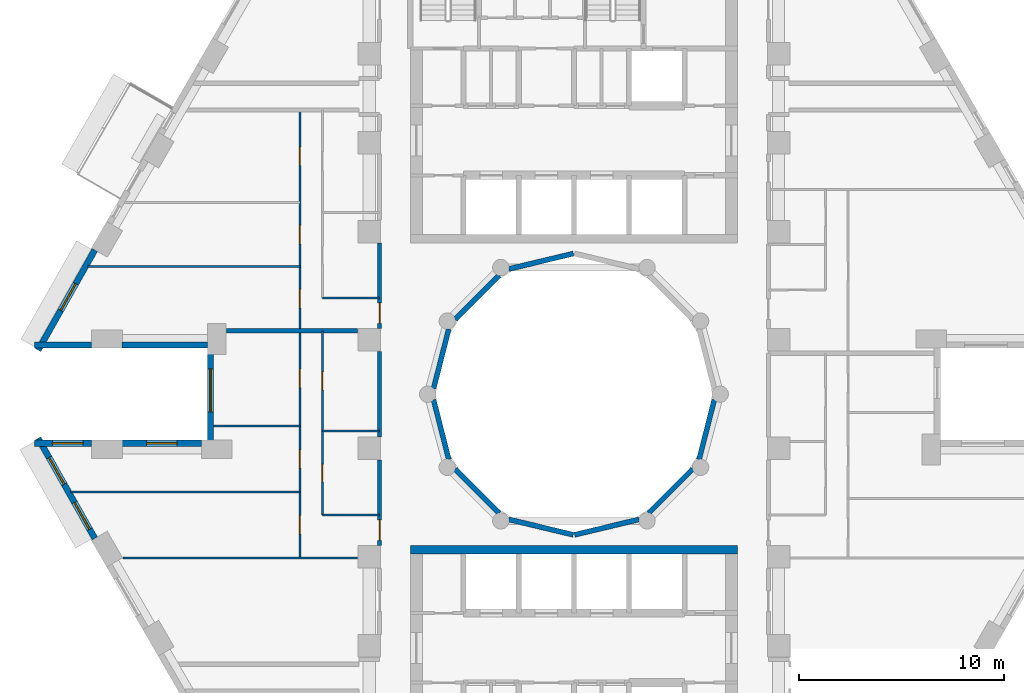
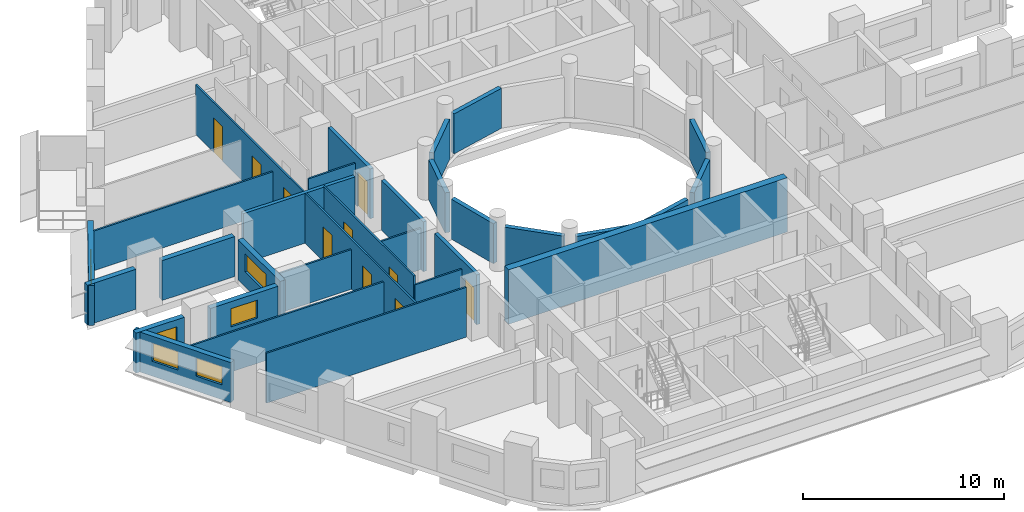
# One storey, part 4 of 13: 30 walls, 10 doors, 6 windows, 16 openings.
"""IFC4 building model written with IfcOpenShell, lengths in metres."""

import ifcopenshell
import ifcopenshell.guid

model = None  # the IFC model being written
_history = None  # IfcOwnerHistory: only IFC2X3 demands one
_inside = {}  # id of a spatial element -> (the spatial element, [elements in it])
_under = {}  # id of a project, library or spatial element -> (it, [spatial elements below it])
_declared = {}  # id of a project -> (the project, [libraries it declares])
_typed = {}  # id of a type object -> (the type object, [elements of that type])
_made_of = {}  # id of a material, layer set ... -> (it, [elements and type objects made of it])


def new_model(schema):
    """Start an empty IFC model of exactly this schema.

    Asked for "IFC4X3", IfcOpenShell would pick the latest addendum, in which some entities
    have other attributes; the version numbers below select the first issue.
    IFC2X3 requires an IfcOwnerHistory on every rooted entity: one is made here for all.
    """
    global model, _history
    if schema == "IFC4X3":
        model = ifcopenshell.file(schema_version=(4, 3, 0, 0))
    else:
        model = ifcopenshell.file(schema=schema)
    _inside.clear()
    _under.clear()
    _declared.clear()
    _typed.clear()
    _made_of.clear()
    _history = None
    if model.schema == "IFC2X3":
        org = make("IfcOrganization", Name="unknown")
        user = make(
            "IfcPersonAndOrganization",
            ThePerson=make("IfcPerson", FamilyName="unknown"),
            TheOrganization=org,
        )
        app = make(
            "IfcApplication",
            ApplicationDeveloper=org,
            Version="unknown",
            ApplicationFullName="unknown",
            ApplicationIdentifier="unknown",
        )
        _history = make(
            "IfcOwnerHistory",
            OwningUser=user,
            OwningApplication=app,
            ChangeAction="ADDED",
            CreationDate=0,
        )
    return model


def make(cls, **values):
    """One entity of the class cls with the attributes given. An attribute that is None is left unset."""
    return model.create_entity(
        cls, **{name: value for name, value in values.items() if value is not None}
    )


def rooted(cls, **values):
    """An entity with a GlobalId (a new one), such as an element, a storey or a relation."""
    return make(cls, GlobalId=ifcopenshell.guid.new(), OwnerHistory=_history, **values)


def si_unit(unit_type, name, prefix=None):
    """IfcSIUnit, for example si_unit("LENGTHUNIT", "METRE", prefix="MILLI")."""
    return make("IfcSIUnit", UnitType=unit_type, Prefix=prefix, Name=name)


def assignment(units):
    """IfcUnitAssignment: the units of a project."""
    return None if units is None else make("IfcUnitAssignment", Units=units)


def point(xyz):
    """IfcCartesianPoint."""
    return None if xyz is None else make("IfcCartesianPoint", Coordinates=xyz)


def direction(xyz):
    """IfcDirection."""
    return None if xyz is None else make("IfcDirection", DirectionRatios=xyz)


def frame(location, z_axis=None, x_axis=None):
    """IfcAxis2Placement3D, a coordinate frame: its origin and axes. An axis left out is left unset."""
    return make(
        "IfcAxis2Placement3D",
        Location=point(location),
        Axis=direction(z_axis),
        RefDirection=direction(x_axis),
    )


def frame_2d(location, x_axis=None):
    """IfcAxis2Placement2D, a coordinate frame in the plane: its origin and x axis."""
    return make(
        "IfcAxis2Placement2D", Location=point(location), RefDirection=direction(x_axis)
    )


def origin():
    """The frame at (0, 0, 0) with its axes left unset."""
    return frame((0.0, 0.0, 0.0))


def place(relative_to, where):
    """IfcLocalPlacement: puts the frame where relative to a parent placement (None: the world)."""
    return make(
        "IfcLocalPlacement", PlacementRelTo=relative_to, RelativePlacement=where
    )


def context(
    kind, dimensions, precision=None, world=None, true_north=None, identifier=None
):
    """IfcGeometricRepresentationContext, for example the 3D "Model" context."""
    return make(
        "IfcGeometricRepresentationContext",
        ContextIdentifier=identifier,
        ContextType=kind,
        CoordinateSpaceDimension=dimensions,
        Precision=precision,
        WorldCoordinateSystem=world,
        TrueNorth=true_north,
    )


def subcontext(parent, identifier, kind, view, scale=None):
    """IfcGeometricRepresentationSubContext, for example "Body" below "Model"."""
    return make(
        "IfcGeometricRepresentationSubContext",
        ContextIdentifier=identifier,
        ContextType=kind,
        ParentContext=parent,
        TargetScale=scale,
        TargetView=view,
    )


def project(units=None, contexts=None):
    """IfcProject with its units and contexts."""
    return rooted(
        "IfcProject",
        Name="project",
        RepresentationContexts=contexts,
        UnitsInContext=assignment(units),
    )


def spatial(cls, under=None, at=None, **own):
    """A site, building, storey or space (cls), placed at a placement, below another one or the project."""
    s = rooted(cls, ObjectPlacement=at, **own)
    if under is not None:
        _under.setdefault(under.id(), (under, []))[1].append(s)
    return s


def profile(cls, at=None, kind="AREA", **sizes):
    """A parametric profile (cls). Its sizes go by their IFC names, for example OverallWidth=200.0."""
    return make(cls, ProfileType=kind, Position=at, **sizes)


def rectangle(**sizes):
    """IfcRectangleProfileDef."""
    return profile("IfcRectangleProfileDef", **sizes)


def extrude(swept, where, along, depth):
    """IfcExtrudedAreaSolid: the profile swept, set in the frame where, extruded along a direction by depth."""
    return make(
        "IfcExtrudedAreaSolid",
        SweptArea=swept,
        Position=where,
        ExtrudedDirection=direction(along),
        Depth=depth,
    )


def shape(context_of_items, identifier, shape_type, items):
    """IfcShapeRepresentation: the items that make up one representation, for example the "Body"."""
    return make(
        "IfcShapeRepresentation",
        ContextOfItems=context_of_items,
        RepresentationIdentifier=identifier,
        RepresentationType=shape_type,
        Items=items,
    )


def material(Name=None, Category=None):
    """IfcMaterial."""
    return make("IfcMaterial", Name=Name, Category=Category)


def layer(
    of_material, thickness, ventilated=None, Name=None, Category=None, Priority=None
):
    """IfcMaterialLayer: one layer of a wall or slab, of a material (None: an air gap)."""
    return make(
        "IfcMaterialLayer",
        Material=of_material,
        LayerThickness=thickness,
        IsVentilated=ventilated,
        Name=Name,
        Category=Category,
        Priority=Priority,
    )


def layer_set(layers, Name=None):
    """IfcMaterialLayerSet."""
    return make("IfcMaterialLayerSet", MaterialLayers=layers, LayerSetName=Name)


def made_of(thing, what):
    """Note that an element or type object is made of a material, layer set ...; save() writes the relation."""
    if what is not None:
        _made_of.setdefault(what.id(), (what, []))[1].append(thing)
    return thing


def type_object(cls, material=None, **own):
    """A type object (cls), such as IfcWallType, which elements share."""
    return made_of(rooted(cls, **own), material)


def element(
    cls,
    number,
    at=None,
    inside=None,
    cuts=None,
    type_object=None,
    material=None,
    context=None,
    identifier="Body",
    shape_type=None,
    held_by="IfcProductDefinitionShape",
    body=None,
    shapes=None,
    **own,
):
    """One element of the class cls, such as IfcWall. Its Tag is "e" and its number.

    at: its placement. inside: the storey or other place that contains it. cuts: it is an
    opening in that element (IfcRelVoidsElement). A single representation is given by context,
    identifier, shape_type and body (its items); several are given by shapes. held_by: the class
    of the entity that holds the representations. save() writes the other relations.
    """
    e = rooted(cls, Tag="e%d" % number, ObjectPlacement=at, **own)
    if body is not None:
        shapes = [shape(context, identifier, shape_type, body)]
    if shapes is not None:
        e.Representation = make(held_by, Representations=shapes)
    if inside is not None:
        _inside.setdefault(inside.id(), (inside, []))[1].append(e)
    if cuts is not None:
        rooted(
            "IfcRelVoidsElement", RelatingBuildingElement=cuts, RelatedOpeningElement=e
        )
    if type_object is not None:
        _typed.setdefault(type_object.id(), (type_object, []))[1].append(e)
    return made_of(e, material)


def fill(opening, filler):
    """IfcRelFillsElement: the door or window that sits in an opening."""
    return rooted(
        "IfcRelFillsElement",
        RelatingOpeningElement=opening,
        RelatedBuildingElement=filler,
    )


def aggregate(whole, parts):
    """IfcRelAggregates: a whole, such as a stair, and the parts it consists of."""
    return rooted("IfcRelAggregates", RelatingObject=whole, RelatedObjects=parts)


def save(model, path):
    """Write the relations noted so far, then the file.

    IfcRelAggregates (storeys below a building ...), IfcRelContainedInSpatialStructure (elements
    in a storey), IfcRelDefinesByType, IfcRelAssociatesMaterial and IfcRelDeclares: one each for
    every whole, place, type object, material and project.
    """
    for whole, parts in _under.values():
        aggregate(whole, parts)
    for where, things in _inside.values():
        rooted(
            "IfcRelContainedInSpatialStructure",
            RelatedElements=things,
            RelatingStructure=where,
        )
    for kind, things in _typed.values():
        rooted("IfcRelDefinesByType", RelatedObjects=things, RelatingType=kind)
    for what, things in _made_of.values():
        rooted("IfcRelAssociatesMaterial", RelatedObjects=things, RelatingMaterial=what)
    for by, libraries in _declared.values():
        rooted("IfcRelDeclares", RelatingContext=by, RelatedDefinitions=libraries)
    model.write(path)


model = new_model("IFC4")

# Units and contexts
model_context = context("Model", 3, precision=1e-05, world=origin(), true_north=direction((0.0, 1.0)))
body_context = subcontext(model_context, "Body", "Model", "MODEL_VIEW")
ifc_project = project(units=[si_unit("LENGTHUNIT", "METRE"), si_unit("AREAUNIT", "SQUARE_METRE"), si_unit("VOLUMEUNIT", "CUBIC_METRE"), si_unit("PLANEANGLEUNIT", "RADIAN"), si_unit("MASSUNIT", "GRAM", prefix="KILO")], contexts=[model_context])

# Site, building, storey
site_placement = place(None, origin())
site = spatial("IfcSite", under=ifc_project, at=site_placement, CompositionType="ELEMENT")
building_placement = place(site_placement, origin())
building = spatial("IfcBuilding", under=site, at=building_placement, Name="Nakaniwa Court", CompositionType="ELEMENT")
storey_placement = place(building_placement, frame((0.0, 0.0, 41.39990234375)))
storey = spatial("IfcBuildingStorey", under=building, at=storey_placement, Name="L10", CompositionType="ELEMENT", Elevation=41.39990234375)

# Wall, opening, door
ifc_material_1 = material(Name="Acoustic double stud partition")
ifc_layer_1 = layer(ifc_material_1, 0.199951171875)
ifc_layer_set_1 = layer_set([ifc_layer_1], Name="Acoustic double stud partition")
wall_type_1 = type_object("IfcWallType", Name="Acoustic double stud partition 200", PredefinedType="PARTITIONING", material=ifc_layer_set_1)
wall_1_placement = place(storey_placement, frame((70.5, 72.616943359375, 0.0), z_axis=(0.0, 0.0, 1.0), x_axis=(0.0, 1.0, 0.0)))
wall_1 = element("IfcWall", 1, at=wall_1_placement, inside=storey, type_object=wall_type_1, Name="Partition PW-105", PredefinedType="PARTITIONING", context=body_context, shape_type="SweptSolid", body=[
    extrude(rectangle(XDim=4.166015625, YDim=0.199951171875, at=frame_2d((2.0830078125, 0.0))), origin(), (0.0, 0.0, 1.0), 3.025146484375),
])
opening_1_placement = place(wall_1_placement, frame((0.242919921875, 0.0, 0.0)))
opening_1 = element("IfcOpeningElement", 2, at=opening_1_placement, cuts=wall_1, Name="Opening D-01-03", PredefinedType="OPENING", context=body_context, shape_type="SweptSolid", body=[
    extrude(rectangle(XDim=1.0, YDim=2.10009765625, at=frame_2d((0.5, 1.050048828125))), frame((0.0, 0.10986328125, 0.0), z_axis=(0.0, -1.0, 0.0), x_axis=(1.0, 0.0, 0.0)), (0.0, 0.0, 1.0), 0.219970703125),
])
ifc_material_2 = material(Name="Solid core timber door set, black veneer", Category="wood")
door_type_1 = type_object("IfcDoorType", Name="Flat entrance door 1000", OperationType="NOTDEFINED", PredefinedType="DOOR", material=ifc_material_2)
door_1_placement = place(opening_1_placement, origin())
door_1 = element("IfcDoor", 3, at=door_1_placement, inside=storey, type_object=door_type_1, Name="Door D-01-03 L10-044", OperationType="SINGLE_SWING_LEFT", OverallHeight=2.10009765625, OverallWidth=1.0, PredefinedType="DOOR", context=body_context, shape_type="SweptSolid", body=[
    extrude(rectangle(XDim=1.0, YDim=2.10009765625, at=frame_2d((0.5, 1.050048828125))), frame((0.0, 0.02490234375, 0.0), z_axis=(0.0, -1.0, 0.0), x_axis=(1.0, 0.0, 0.0)), (0.0, 0.0, 1.0), 0.050048828125),
])
fill(opening_1, door_1)

# Wall
wall_2_placement = place(storey_placement, frame((70.5, 77.9169921875, 0.0), z_axis=(0.0, 0.0, 1.0), x_axis=(0.0, 1.0, 0.0)))
element("IfcWall", 4, at=wall_2_placement, inside=storey, type_object=wall_type_1, Name="Partition PW-106", PredefinedType="PARTITIONING", context=body_context, shape_type="SweptSolid", body=[
    extrude(rectangle(XDim=4.166015625, YDim=0.199951171875, at=frame_2d((2.0830078125, 0.0))), origin(), (0.0, 0.0, 1.0), 3.025146484375),
])

# Wall, opening, door
wall_3_placement = place(storey_placement, frame((70.5, 83.217041015625, 0.0), z_axis=(0.0, 0.0, 1.0), x_axis=(0.0, 1.0, 0.0)))
wall_3 = element("IfcWall", 5, at=wall_3_placement, inside=storey, type_object=wall_type_1, Name="Partition PW-107", PredefinedType="PARTITIONING", context=body_context, shape_type="SweptSolid", body=[
    extrude(rectangle(XDim=4.166015625, YDim=0.199951171875, at=frame_2d((2.0830078125, 0.0))), origin(), (0.0, 0.0, 1.0), 3.025146484375),
])
opening_2_placement = place(wall_3_placement, frame((0.242919921875, 0.0, 0.0)))
opening_2 = element("IfcOpeningElement", 6, at=opening_2_placement, cuts=wall_3, Name="Opening D-01-04", PredefinedType="OPENING", context=body_context, shape_type="SweptSolid", body=[
    extrude(rectangle(XDim=1.0, YDim=2.10009765625, at=frame_2d((0.5, 1.050048828125))), frame((0.0, 0.10986328125, 0.0), z_axis=(0.0, -1.0, 0.0), x_axis=(1.0, 0.0, 0.0)), (0.0, 0.0, 1.0), 0.219970703125),
])
door_2_placement = place(opening_2_placement, origin())
door_2 = element("IfcDoor", 7, at=door_2_placement, inside=storey, type_object=door_type_1, Name="Door D-01-04 L10-050", OperationType="SINGLE_SWING_LEFT", OverallHeight=2.10009765625, OverallWidth=1.0, PredefinedType="DOOR", context=body_context, shape_type="SweptSolid", body=[
    extrude(rectangle(XDim=1.0, YDim=2.10009765625, at=frame_2d((0.5, 1.050048828125))), frame((0.0, 0.02490234375, 0.0), z_axis=(0.0, -1.0, 0.0), x_axis=(1.0, 0.0, 0.0)), (0.0, 0.0, 1.0), 0.050048828125),
])
fill(opening_2, door_2)

# Wall
wall_4_placement = place(storey_placement, frame((63.01171875, 83.10009765625, 0.0), z_axis=(0.0, 0.0, 1.0), x_axis=(1.0, 0.0, 0.0)))
element("IfcWall", 8, at=wall_4_placement, inside=storey, type_object=wall_type_1, Name="Partition PW-130", PredefinedType="PARTITIONING", context=body_context, shape_type="SweptSolid", body=[
    extrude(rectangle(XDim=6.418212890625, YDim=0.199951171875, at=frame_2d((3.208984375, 0.0))), origin(), (0.0, 0.0, 1.0), 3.025146484375),
])

# Wall, opening, window
ifc_material_3 = material(Name="Charcoal ceramic cladding")
ifc_layer_2 = layer(ifc_material_3, 0.02, Name="Ceramic cladding")
ifc_material_4 = material(Name="Ventilated air cavity")
ifc_layer_3 = layer(ifc_material_4, 0.04, ventilated=True, Name="Ventilated cavity")
ifc_material_5 = material(Name="Mineral wool insulation")
ifc_layer_4 = layer(ifc_material_5, 0.1, Name="Insulation")
ifc_material_6 = material(Name="Cement bonded sheathing board")
ifc_layer_5 = layer(ifc_material_6, 0.012, Name="Sheathing")
ifc_material_7 = material(Name="Cold-formed galvanised stud frame with mineral wool infill")
ifc_layer_6 = layer(ifc_material_7, 0.1, Name="Stud frame")
ifc_material_8 = material(Name="Fire-rated gypsum plasterboard lining")
ifc_layer_7 = layer(ifc_material_8, 0.028, Name="Lining")
ifc_layer_set_2 = layer_set([ifc_layer_2, ifc_layer_3, ifc_layer_4, ifc_layer_5, ifc_layer_6, ifc_layer_7], Name="Charcoal ceramic faced external wall system")
wall_type_2 = type_object("IfcWallType", Name="Black ceramic faced external wall 300", PredefinedType="SOLIDWALL", material=ifc_layer_set_2)
wall_5_placement = place(storey_placement, frame((56.584228515625, 87.050537109375, 0.0), z_axis=(0.0, 0.0, 1.0), x_axis=(-0.492363204642, -0.870389840655, 0.0)))
wall_5 = element("IfcWall", 9, at=wall_5_placement, inside=storey, type_object=wall_type_2, Name="L10 external wall 14", PredefinedType="SOLIDWALL", context=body_context, shape_type="SweptSolid", body=[
    extrude(rectangle(XDim=5.62646484375, YDim=0.300048828125, at=frame_2d((2.813232421875, 0.0))), origin(), (0.0, 0.0, 1.0), 2.425048828125),
])
opening_3_placement = place(wall_5_placement, frame((1.8916015625, 0.0, 0.89990234375)))
opening_3 = element("IfcOpeningElement", 10, at=opening_3_placement, cuts=wall_5, Name="Opening W5.15", PredefinedType="OPENING", context=body_context, shape_type="SweptSolid", body=[
    extrude(rectangle(XDim=1.5, YDim=1.10009765625, at=frame_2d((0.75, 0.550048828125))), frame((0.0, 0.159912109375, 0.0), z_axis=(0.0, -1.0, 0.0), x_axis=(1.0, 0.0, 0.0)), (0.0, 0.0, 1.0), 0.320068359375),
])
ifc_material_9 = material(Name="Black anodised aluminium frame with dark low-E laminated double glazing", Category="aluminium")
window_type_1 = type_object("IfcWindowType", Name="Dark glass window 1500x1100 sill 900", PartitioningType="SINGLE_PANEL", PredefinedType="WINDOW", material=ifc_material_9)
window_1_placement = place(opening_3_placement, origin())
window_1 = element("IfcWindow", 11, at=window_1_placement, inside=storey, type_object=window_type_1, Name="L10 bedroom window 14-1", OverallHeight=1.10009765625, OverallWidth=1.5, PartitioningType="SINGLE_PANEL", PredefinedType="WINDOW", context=body_context, shape_type="SweptSolid", body=[
    extrude(rectangle(XDim=1.5, YDim=1.10009765625, at=frame_2d((0.75, 0.550048828125))), frame((0.0, 0.030029296875, 0.0), z_axis=(0.0, -1.0, 0.0), x_axis=(1.0, 0.0, 0.0)), (0.0, 0.0, 1.0), 0.06005859375),
])
fill(opening_3, window_1)

# Walls
wall_6_placement = place(storey_placement, frame((53.643310546875, 82.39990234375, 0.0), z_axis=(0.0, 0.0, 1.0), x_axis=(1.0, 0.0, 0.0)))
element("IfcWall", 12, at=wall_6_placement, inside=storey, type_object=wall_type_2, Name="L10 external wall 15", PredefinedType="SOLIDWALL", context=body_context, shape_type="SweptSolid", body=[
    extrude(rectangle(XDim=2.787841796875, YDim=0.300048828125, at=frame_2d((1.39404296875, 0.0))), origin(), (0.0, 0.0, 1.0), 2.425048828125),
])
wall_7_placement = place(storey_placement, frame((57.923095703125, 82.39990234375, 0.0), z_axis=(0.0, 0.0, 1.0), x_axis=(1.0, 0.0, 0.0)))
element("IfcWall", 13, at=wall_7_placement, inside=storey, type_object=wall_type_2, Name="L10 external wall 16", PredefinedType="SOLIDWALL", context=body_context, shape_type="SweptSolid", body=[
    extrude(rectangle(XDim=4.172607421875, YDim=0.300048828125, at=frame_2d((2.08642578125, 0.0))), origin(), (0.0, 0.0, 1.0), 2.425048828125),
])

# Wall, opening, window
wall_8_placement = place(storey_placement, frame((62.24169921875, 81.9541015625, 0.0), z_axis=(0.0, 0.0, 1.0), x_axis=(0.0, -1.0, 0.0)))
wall_8 = element("IfcWall", 14, at=wall_8_placement, inside=storey, type_object=wall_type_2, Name="L10 external wall 17", PredefinedType="SOLIDWALL", context=body_context, shape_type="SweptSolid", body=[
    extrude(rectangle(XDim=4.2080078125, YDim=0.300048828125, at=frame_2d((2.10400390625, 0.0))), origin(), (0.0, 0.0, 1.0), 2.425048828125),
])
opening_4_placement = place(wall_8_placement, frame((0.71630859375, 0.0, 0.89990234375)))
opening_4 = element("IfcOpeningElement", 15, at=opening_4_placement, cuts=wall_8, Name="Opening W7.16", PredefinedType="OPENING", context=body_context, shape_type="SweptSolid", body=[
    extrude(rectangle(XDim=2.10009765625, YDim=1.10009765625, at=frame_2d((1.050048828125, 0.550048828125))), frame((0.0, 0.159912109375, 0.0), z_axis=(0.0, -1.0, 0.0), x_axis=(1.0, 0.0, 0.0)), (0.0, 0.0, 1.0), 0.320068359375),
])
window_type_2 = type_object("IfcWindowType", Name="Dark glass window 2100x1100 sill 900", PartitioningType="SINGLE_PANEL", PredefinedType="WINDOW", material=ifc_material_9)
window_2_placement = place(opening_4_placement, origin())
window_2 = element("IfcWindow", 16, at=window_2_placement, inside=storey, type_object=window_type_2, Name="L10 living window 17-0", OverallHeight=1.10009765625, OverallWidth=2.10009765625, PartitioningType="SINGLE_PANEL", PredefinedType="WINDOW", context=body_context, shape_type="SweptSolid", body=[
    extrude(rectangle(XDim=2.10009765625, YDim=1.10009765625, at=frame_2d((1.050048828125, 0.550048828125))), frame((0.0, 0.030029296875, 0.0), z_axis=(0.0, -1.0, 0.0), x_axis=(1.0, 0.0, 0.0)), (0.0, 0.0, 1.0), 0.06005859375),
])
fill(opening_4, window_2)

wall_9_placement = place(storey_placement, frame((61.795654296875, 77.60009765625, 0.0), z_axis=(0.0, 0.0, 1.0), x_axis=(-1.0, 0.0, 0.0)))
wall_9 = element("IfcWall", 17, at=wall_9_placement, inside=storey, type_object=wall_type_2, Name="L10 external wall 18", PredefinedType="SOLIDWALL", context=body_context, shape_type="SweptSolid", body=[
    extrude(rectangle(XDim=3.87255859375, YDim=0.300048828125, at=frame_2d((1.936279296875, 0.0))), origin(), (0.0, 0.0, 1.0), 2.425048828125),
])
opening_5_placement = place(wall_9_placement, frame((1.186279296875, 0.0, 0.89990234375)))
opening_5 = element("IfcOpeningElement", 18, at=opening_5_placement, cuts=wall_9, Name="Opening W5.17", PredefinedType="OPENING", context=body_context, shape_type="SweptSolid", body=[
    extrude(rectangle(XDim=1.5, YDim=1.10009765625, at=frame_2d((0.75, 0.550048828125))), frame((0.0, 0.159912109375, 0.0), z_axis=(0.0, -1.0, 0.0), x_axis=(1.0, 0.0, 0.0)), (0.0, 0.0, 1.0), 0.320068359375),
])
window_3_placement = place(opening_5_placement, origin())
window_3 = element("IfcWindow", 19, at=window_3_placement, inside=storey, type_object=window_type_1, Name="L10 bedroom window 18-0", OverallHeight=1.10009765625, OverallWidth=1.5, PartitioningType="SINGLE_PANEL", PredefinedType="WINDOW", context=body_context, shape_type="SweptSolid", body=[
    extrude(rectangle(XDim=1.5, YDim=1.10009765625, at=frame_2d((0.75, 0.550048828125))), frame((0.0, 0.030029296875, 0.0), z_axis=(0.0, -1.0, 0.0), x_axis=(1.0, 0.0, 0.0)), (0.0, 0.0, 1.0), 0.06005859375),
])
fill(opening_5, window_3)

wall_10_placement = place(storey_placement, frame((56.43115234375, 77.60009765625, 0.0), z_axis=(0.0, 0.0, 1.0), x_axis=(-1.0, 0.0, 0.0)))
wall_10 = element("IfcWall", 20, at=wall_10_placement, inside=storey, type_object=wall_type_2, Name="L10 external wall 19", PredefinedType="SOLIDWALL", context=body_context, shape_type="SweptSolid", body=[
    extrude(rectangle(XDim=2.787841796875, YDim=0.300048828125, at=frame_2d((1.39404296875, 0.0))), origin(), (0.0, 0.0, 1.0), 2.425048828125),
])
opening_6_placement = place(wall_10_placement, frame((0.4189453125, 0.0, 0.89990234375)))
opening_6 = element("IfcOpeningElement", 21, at=opening_6_placement, cuts=wall_10, Name="Opening W5.18", PredefinedType="OPENING", context=body_context, shape_type="SweptSolid", body=[
    extrude(rectangle(XDim=1.5, YDim=1.10009765625, at=frame_2d((0.75, 0.550048828125))), frame((0.0, 0.159912109375, 0.0), z_axis=(0.0, -1.0, 0.0), x_axis=(1.0, 0.0, 0.0)), (0.0, 0.0, 1.0), 0.320068359375),
])
window_4_placement = place(opening_6_placement, origin())
window_4 = element("IfcWindow", 22, at=window_4_placement, inside=storey, type_object=window_type_1, Name="L10 bedroom window 19-0", OverallHeight=1.10009765625, OverallWidth=1.5, PartitioningType="SINGLE_PANEL", PredefinedType="WINDOW", context=body_context, shape_type="SweptSolid", body=[
    extrude(rectangle(XDim=1.5, YDim=1.10009765625, at=frame_2d((0.75, 0.550048828125))), frame((0.0, 0.030029296875, 0.0), z_axis=(0.0, -1.0, 0.0), x_axis=(1.0, 0.0, 0.0)), (0.0, 0.0, 1.0), 0.06005859375),
])
fill(opening_6, window_4)

# Wall, openings, windows
wall_11_placement = place(storey_placement, frame((53.81396484375, 77.8466796875, 0.0), z_axis=(0.0, 0.0, 1.0), x_axis=(0.492363204642, -0.870389840655, 0.0)))
wall_11 = element("IfcWall", 23, at=wall_11_placement, inside=storey, type_object=wall_type_2, Name="L10 external wall 20", PredefinedType="SOLIDWALL", context=body_context, shape_type="SweptSolid", body=[
    extrude(rectangle(XDim=5.62646484375, YDim=0.300048828125, at=frame_2d((2.813232421875, 0.0))), origin(), (0.0, 0.0, 1.0), 2.425048828125),
])
opening_7_placement = place(wall_11_placement, frame((1.081298828125, 0.0, 0.89990234375)))
opening_7 = element("IfcOpeningElement", 24, at=opening_7_placement, cuts=wall_11, Name="Opening W5.19", PredefinedType="OPENING", context=body_context, shape_type="SweptSolid", body=[
    extrude(rectangle(XDim=1.5, YDim=1.10009765625, at=frame_2d((0.75, 0.550048828125))), frame((0.0, 0.159912109375, 0.0), z_axis=(0.0, -1.0, 0.0), x_axis=(1.0, 0.0, 0.0)), (0.0, 0.0, 1.0), 0.320068359375),
])
opening_8_placement = place(wall_11_placement, frame((3.60595703125, 0.0, 0.89990234375)))
opening_8 = element("IfcOpeningElement", 25, at=opening_8_placement, cuts=wall_11, Name="Opening W5.20", PredefinedType="OPENING", context=body_context, shape_type="SweptSolid", body=[
    extrude(rectangle(XDim=1.5, YDim=1.10009765625, at=frame_2d((0.75, 0.550048828125))), frame((0.0, 0.159912109375, 0.0), z_axis=(0.0, -1.0, 0.0), x_axis=(1.0, 0.0, 0.0)), (0.0, 0.0, 1.0), 0.320068359375),
])
window_5_placement = place(opening_7_placement, origin())
window_5 = element("IfcWindow", 26, at=window_5_placement, inside=storey, type_object=window_type_1, Name="L10 bedroom window 20-0", OverallHeight=1.10009765625, OverallWidth=1.5, PartitioningType="SINGLE_PANEL", PredefinedType="WINDOW", context=body_context, shape_type="SweptSolid", body=[
    extrude(rectangle(XDim=1.5, YDim=1.10009765625, at=frame_2d((0.75, 0.550048828125))), frame((0.0, 0.030029296875, 0.0), z_axis=(0.0, -1.0, 0.0), x_axis=(1.0, 0.0, 0.0)), (0.0, 0.0, 1.0), 0.06005859375),
])
fill(opening_7, window_5)
window_6_placement = place(opening_8_placement, origin())
window_6 = element("IfcWindow", 27, at=window_6_placement, inside=storey, type_object=window_type_1, Name="L10 bedroom window 20-1", OverallHeight=1.10009765625, OverallWidth=1.5, PartitioningType="SINGLE_PANEL", PredefinedType="WINDOW", context=body_context, shape_type="SweptSolid", body=[
    extrude(rectangle(XDim=1.5, YDim=1.10009765625, at=frame_2d((0.75, 0.550048828125))), frame((0.0, 0.030029296875, 0.0), z_axis=(0.0, -1.0, 0.0), x_axis=(1.0, 0.0, 0.0)), (0.0, 0.0, 1.0), 0.06005859375),
])
fill(opening_8, window_6)

# Walls
ifc_layer_8 = layer(ifc_material_3, 0.02, Name="Ceramic cladding")
ifc_layer_9 = layer(ifc_material_4, 0.04, ventilated=True, Name="Ventilated cavity")
ifc_layer_10 = layer(ifc_material_5, 0.075, Name="Insulation")
ifc_layer_11 = layer(ifc_material_6, 0.012, Name="Sheathing")
ifc_layer_12 = layer(ifc_material_7, 0.075, Name="Stud frame")
ifc_layer_13 = layer(ifc_material_8, 0.028, Name="Lining")
ifc_layer_set_3 = layer_set([ifc_layer_8, ifc_layer_9, ifc_layer_10, ifc_layer_11, ifc_layer_12, ifc_layer_13], Name="Charcoal ceramic faced external wall system")
wall_type_3 = type_object("IfcWallType", Name="Charcoal ceramic faced well wall 250", PredefinedType="SOLIDWALL", material=ifc_layer_set_3)
wall_12_placement = place(storey_placement, frame((86.8603515625, 79.72998046875, 0.0), z_axis=(0.0, 0.0, 1.0), x_axis=(-0.247055971283, -0.969001211069, 0.0)))
element("IfcWall", 28, at=wall_12_placement, inside=storey, type_object=wall_type_3, Name="L10 external wall 36", PredefinedType="SOLIDWALL", context=body_context, shape_type="SweptSolid", body=[
    extrude(rectangle(XDim=3.010009765625, YDim=0.25, at=frame_2d((1.5048828125, 0.0))), origin(), (0.0, 0.0, 1.0), 2.425048828125),
])
wall_13_placement = place(storey_placement, frame((85.8056640625, 76.339111328125, 0.0), z_axis=(0.0, 0.0, 1.0), x_axis=(-0.707106781187, -0.707106781187, 0.0)))
element("IfcWall", 29, at=wall_13_placement, inside=storey, type_object=wall_type_3, Name="L10 external wall 37", PredefinedType="SOLIDWALL", context=body_context, shape_type="SweptSolid", body=[
    extrude(rectangle(XDim=3.033203125, YDim=0.25, at=frame_2d((1.5166015625, 0.0))), origin(), (0.0, 0.0, 1.0), 2.425048828125),
])
for number, where, z_axis, x_axis, name in (
    (30, (83.186279296875, 73.880615234375, 0.0), (0.0, 0.0, 1.0), (-0.972773113459, -0.231759508395, 0.0), "L10 external wall 38"),
    (31, (79.970947265625, 73.12841796875, 0.0), (0.0, 0.0, 1.0), (-0.972773113459, 0.231759508395, 0.0), "L10 external wall 39"),
):
    element("IfcWall", number, at=place(storey_placement, frame(where, z_axis=z_axis, x_axis=x_axis)), inside=storey, type_object=wall_type_3, Name=name, PredefinedType="SOLIDWALL", context=body_context, shape_type="SweptSolid", body=[
        extrude(rectangle(XDim=3.24560546875, YDim=0.25, at=frame_2d((1.622802734375, 0.0))), origin(), (0.0, 0.0, 1.0), 2.425048828125),
    ])
wall_14_placement = place(storey_placement, frame((76.339111328125, 74.1943359375, 0.0), z_axis=(0.0, 0.0, 1.0), x_axis=(-0.707106781187, 0.707106781187, 0.0)))
element("IfcWall", 32, at=wall_14_placement, inside=storey, type_object=wall_type_3, Name="L10 external wall 40", PredefinedType="SOLIDWALL", context=body_context, shape_type="SweptSolid", body=[
    extrude(rectangle(XDim=3.033203125, YDim=0.25, at=frame_2d((1.5166015625, 0.0))), origin(), (0.0, 0.0, 1.0), 2.425048828125),
])
for number, where, z_axis, x_axis, name in (
    (33, (73.88330078125, 76.813232421875, 0.0), (0.0, 0.0, 1.0), (-0.247055971283, 0.969001211069, 0.0), "L10 external wall 41"),
    (34, (73.1396484375, 80.27001953125, 0.0), (0.0, 0.0, 1.0), (0.247055971283, 0.969001211069, 0.0), "L10 external wall 42"),
):
    element("IfcWall", number, at=place(storey_placement, frame(where, z_axis=z_axis, x_axis=x_axis)), inside=storey, type_object=wall_type_3, Name=name, PredefinedType="SOLIDWALL", context=body_context, shape_type="SweptSolid", body=[
        extrude(rectangle(XDim=3.010009765625, YDim=0.25, at=frame_2d((1.5048828125, 0.0))), origin(), (0.0, 0.0, 1.0), 2.425048828125),
    ])
wall_15_placement = place(storey_placement, frame((74.1943359375, 83.660888671875, 0.0), z_axis=(0.0, 0.0, 1.0), x_axis=(0.707106781187, 0.707106781187, 0.0)))
element("IfcWall", 35, at=wall_15_placement, inside=storey, type_object=wall_type_3, Name="L10 external wall 43", PredefinedType="SOLIDWALL", context=body_context, shape_type="SweptSolid", body=[
    extrude(rectangle(XDim=3.033203125, YDim=0.25, at=frame_2d((1.5166015625, 0.0))), origin(), (0.0, 0.0, 1.0), 2.425048828125),
])
wall_16_placement = place(storey_placement, frame((76.813720703125, 86.119384765625, 0.0), z_axis=(0.0, 0.0, 1.0), x_axis=(0.972773113459, 0.231759508395, 0.0)))
element("IfcWall", 36, at=wall_16_placement, inside=storey, type_object=wall_type_3, Name="L10 external wall 44", PredefinedType="SOLIDWALL", context=body_context, shape_type="SweptSolid", body=[
    extrude(rectangle(XDim=3.24560546875, YDim=0.25, at=frame_2d((1.622802734375, 0.0))), origin(), (0.0, 0.0, 1.0), 2.425048828125),
])
ifc_material_10 = material(Name="Concrete C100/115", Category="concrete")
ifc_layer_14 = layer(ifc_material_10, 0.39990234375)
ifc_layer_set_4 = layer_set([ifc_layer_14], Name="Concrete C100/115")
wall_type_4 = type_object("IfcWallType", Name="Concrete core well wall 400 C100", PredefinedType="SHEAR", material=ifc_layer_set_4)
wall_17_placement = place(storey_placement, frame((72.00390625, 72.39990234375, -0.27490234375), z_axis=(0.0, 0.0, 1.0), x_axis=(1.0, 0.0, 0.0)))
element("IfcWall", 37, at=wall_17_placement, inside=storey, type_object=wall_type_4, Name="Core wall SW-140", PredefinedType="SHEAR", context=body_context, shape_type="SweptSolid", body=[
    extrude(rectangle(XDim=15.9921875, YDim=0.39990234375, at=frame_2d((7.99609375, 0.0))), origin(), (0.0, 0.0, 1.0), 3.300048828125),
])
ifc_material_11 = material(Name="Single stud plasterboard partition")
ifc_layer_15 = layer(ifc_material_11, 0.10009765625)
ifc_layer_set_5 = layer_set([ifc_layer_15], Name="Single stud plasterboard partition")
wall_type_5 = type_object("IfcWallType", Name="Single stud plasterboard partition 100", PredefinedType="PARTITIONING", material=ifc_layer_set_5)
wall_18_placement = place(storey_placement, frame((67.699951171875, 74.10009765625, 0.0), z_axis=(0.0, 0.0, 1.0), x_axis=(1.0, 0.0, 0.0)))
element("IfcWall", 38, at=wall_18_placement, inside=storey, type_object=wall_type_5, Name="Partition PW-114", PredefinedType="PARTITIONING", context=body_context, shape_type="SweptSolid", body=[
    extrude(rectangle(XDim=2.800048828125, YDim=0.10009765625, at=frame_2d((1.39990234375, 0.0))), origin(), (0.0, 0.0, 1.0), 2.505126953125),
])
wall_19_placement = place(storey_placement, frame((57.96826171875, 72.0, 0.0), z_axis=(0.0, 0.0, 1.0), x_axis=(1.0, 0.0, 0.0)))
element("IfcWall", 39, at=wall_19_placement, inside=storey, type_object=wall_type_5, Name="Partition PW-120", PredefinedType="PARTITIONING", context=body_context, shape_type="SweptSolid", body=[
    extrude(rectangle(XDim=11.461669921875, YDim=0.10009765625, at=frame_2d((5.73095703125, 0.0))), origin(), (0.0, 0.0, 1.0), 3.025146484375),
])
wall_20_placement = place(storey_placement, frame((67.699951171875, 78.19091796875, 0.0), z_axis=(0.0, 0.0, 1.0), x_axis=(1.0, 0.0, 0.0)))
element("IfcWall", 40, at=wall_20_placement, inside=storey, type_object=wall_type_5, Name="Partition PW-127", PredefinedType="PARTITIONING", context=body_context, shape_type="SweptSolid", body=[
    extrude(rectangle(XDim=2.800048828125, YDim=0.10009765625, at=frame_2d((1.39990234375, 0.0))), origin(), (0.0, 0.0, 1.0), 2.505126953125),
])

# Wall, openings, doors
wall_21_placement = place(storey_placement, frame((67.699951171875, 83.10009765625, 0.0), z_axis=(0.0, 0.0, 1.0), x_axis=(0.0, -1.0, 0.0)))
wall_21 = element("IfcWall", 41, at=wall_21_placement, inside=storey, type_object=wall_type_5, Name="Partition PW-128", PredefinedType="PARTITIONING", context=body_context, shape_type="SweptSolid", body=[
    extrude(rectangle(XDim=9.0, YDim=0.10009765625, at=frame_2d((4.5, 0.0))), origin(), (0.0, 0.0, 1.0), 3.025146484375),
])
opening_9_placement = place(wall_21_placement, frame((6.530029296875, 0.0, 0.0)))
opening_9 = element("IfcOpeningElement", 42, at=opening_9_placement, cuts=wall_21, Name="Opening D-03-03", PredefinedType="OPENING", context=body_context, shape_type="SweptSolid", body=[
    extrude(rectangle(XDim=0.85009765625, YDim=2.10009765625, at=frame_2d((0.425048828125, 1.050048828125))), frame((0.0, 0.06005859375, 0.0), z_axis=(0.0, -1.0, 0.0), x_axis=(1.0, 0.0, 0.0)), (0.0, 0.0, 1.0), 0.1201171875),
])
opening_10_placement = place(wall_21_placement, frame((2.0048828125, 0.0, 0.0)))
opening_10 = element("IfcOpeningElement", 43, at=opening_10_placement, cuts=wall_21, Name="Opening D-33-07", PredefinedType="OPENING", context=body_context, shape_type="SweptSolid", body=[
    extrude(rectangle(XDim=0.89990234375, YDim=2.10009765625, at=frame_2d((0.449951171875, 1.050048828125))), frame((0.0, 0.06005859375, 0.0), z_axis=(0.0, -1.0, 0.0), x_axis=(1.0, 0.0, 0.0)), (0.0, 0.0, 1.0), 0.1201171875),
])
ifc_material_12 = material(Name="Moisture sealed timber door set", Category="wood")
door_type_2 = type_object("IfcDoorType", Name="Bathroom door 850", OperationType="NOTDEFINED", PredefinedType="DOOR", material=ifc_material_12)
door_3_placement = place(opening_9_placement, origin())
door_3 = element("IfcDoor", 44, at=door_3_placement, inside=storey, type_object=door_type_2, Name="Door D-03-03 L10-045", OperationType="SINGLE_SWING_RIGHT", OverallHeight=2.10009765625, OverallWidth=0.85009765625, PredefinedType="DOOR", context=body_context, shape_type="SweptSolid", body=[
    extrude(rectangle(XDim=0.85009765625, YDim=2.10009765625, at=frame_2d((0.425048828125, 1.050048828125))), frame((0.0, 0.02490234375, 0.0), z_axis=(0.0, -1.0, 0.0), x_axis=(1.0, 0.0, 0.0)), (0.0, 0.0, 1.0), 0.050048828125),
])
fill(opening_9, door_3)
door_type_3 = type_object("IfcDoorType", Name="Internal door 900", OperationType="NOTDEFINED", PredefinedType="DOOR", material=ifc_material_2)
door_4_placement = place(opening_10_placement, origin())
door_4 = element("IfcDoor", 45, at=door_4_placement, inside=storey, type_object=door_type_3, Name="Door D-33-07 L10-046", OperationType="SINGLE_SWING_LEFT", OverallHeight=2.10009765625, OverallWidth=0.89990234375, PredefinedType="DOOR", context=body_context, shape_type="SweptSolid", body=[
    extrude(rectangle(XDim=0.89990234375, YDim=2.10009765625, at=frame_2d((0.449951171875, 1.050048828125))), frame((0.0, 0.02490234375, 0.0), z_axis=(0.0, -1.0, 0.0), x_axis=(1.0, 0.0, 0.0)), (0.0, 0.0, 1.0), 0.050048828125),
])
fill(opening_10, door_4)

wall_22_placement = place(storey_placement, frame((66.60009765625, 72.0, 0.0), z_axis=(0.0, 0.0, 1.0), x_axis=(0.0, 1.0, 0.0)))
wall_22 = element("IfcWall", 46, at=wall_22_placement, inside=storey, type_object=wall_type_5, Name="Partition PW-131", PredefinedType="PARTITIONING", context=body_context, shape_type="SweptSolid", body=[
    extrude(rectangle(XDim=21.89990234375, YDim=0.10009765625, at=frame_2d((10.949951171875, 0.0))), origin(), (0.0, 0.0, 1.0), 3.025146484375),
])
opening_11_placement = place(wall_22_placement, frame((1.160888671875, 0.0, 0.0)))
opening_11 = element("IfcOpeningElement", 47, at=opening_11_placement, cuts=wall_22, Name="Opening D-33-08", PredefinedType="OPENING", context=body_context, shape_type="SweptSolid", body=[
    extrude(rectangle(XDim=0.89990234375, YDim=2.10009765625, at=frame_2d((0.449951171875, 1.050048828125))), frame((0.0, 0.06005859375, 0.0), z_axis=(0.0, -1.0, 0.0), x_axis=(1.0, 0.0, 0.0)), (0.0, 0.0, 1.0), 0.1201171875),
])
opening_12_placement = place(wall_22_placement, frame((4.384033203125, 0.0, 0.0)))
opening_12 = element("IfcOpeningElement", 48, at=opening_12_placement, cuts=wall_22, Name="Opening D-33-09", PredefinedType="OPENING", context=body_context, shape_type="SweptSolid", body=[
    extrude(rectangle(XDim=0.89990234375, YDim=2.10009765625, at=frame_2d((0.449951171875, 1.050048828125))), frame((0.0, 0.06005859375, 0.0), z_axis=(0.0, -1.0, 0.0), x_axis=(1.0, 0.0, 0.0)), (0.0, 0.0, 1.0), 0.1201171875),
])
opening_13_placement = place(wall_22_placement, frame((8.322998046875, 0.0, 0.0)))
opening_13 = element("IfcOpeningElement", 49, at=opening_13_placement, cuts=wall_22, Name="Opening D-33-10", PredefinedType="OPENING", context=body_context, shape_type="SweptSolid", body=[
    extrude(rectangle(XDim=0.89990234375, YDim=2.10009765625, at=frame_2d((0.449951171875, 1.050048828125))), frame((0.0, 0.06005859375, 0.0), z_axis=(0.0, -1.0, 0.0), x_axis=(1.0, 0.0, 0.0)), (0.0, 0.0, 1.0), 0.1201171875),
])
opening_14_placement = place(wall_22_placement, frame((12.218017578125, 0.0, 0.0)))
opening_14 = element("IfcOpeningElement", 50, at=opening_14_placement, cuts=wall_22, Name="Opening D-33-12", PredefinedType="OPENING", context=body_context, shape_type="SweptSolid", body=[
    extrude(rectangle(XDim=0.89990234375, YDim=2.10009765625, at=frame_2d((0.449951171875, 1.050048828125))), frame((0.0, 0.06005859375, 0.0), z_axis=(0.0, -1.0, 0.0), x_axis=(1.0, 0.0, 0.0)), (0.0, 0.0, 1.0), 0.1201171875),
])
opening_15_placement = place(wall_22_placement, frame((15.35302734375, 0.0, 0.0)))
opening_15 = element("IfcOpeningElement", 51, at=opening_15_placement, cuts=wall_22, Name="Opening D-33-13", PredefinedType="OPENING", context=body_context, shape_type="SweptSolid", body=[
    extrude(rectangle(XDim=0.89990234375, YDim=2.10009765625, at=frame_2d((0.449951171875, 1.050048828125))), frame((0.0, 0.06005859375, 0.0), z_axis=(0.0, -1.0, 0.0), x_axis=(1.0, 0.0, 0.0)), (0.0, 0.0, 1.0), 0.1201171875),
])
opening_16_placement = place(wall_22_placement, frame((19.18603515625, 0.0, 0.0)))
opening_16 = element("IfcOpeningElement", 52, at=opening_16_placement, cuts=wall_22, Name="Opening D-33-14", PredefinedType="OPENING", context=body_context, shape_type="SweptSolid", body=[
    extrude(rectangle(XDim=0.89990234375, YDim=2.10009765625, at=frame_2d((0.449951171875, 1.050048828125))), frame((0.0, 0.06005859375, 0.0), z_axis=(0.0, -1.0, 0.0), x_axis=(1.0, 0.0, 0.0)), (0.0, 0.0, 1.0), 0.1201171875),
])
door_5_placement = place(opening_11_placement, origin())
door_5 = element("IfcDoor", 53, at=door_5_placement, inside=storey, type_object=door_type_3, Name="Door D-33-08 L10-047", OperationType="SINGLE_SWING_RIGHT", OverallHeight=2.10009765625, OverallWidth=0.89990234375, PredefinedType="DOOR", context=body_context, shape_type="SweptSolid", body=[
    extrude(rectangle(XDim=0.89990234375, YDim=2.10009765625, at=frame_2d((0.449951171875, 1.050048828125))), frame((0.0, 0.02490234375, 0.0), z_axis=(0.0, -1.0, 0.0), x_axis=(1.0, 0.0, 0.0)), (0.0, 0.0, 1.0), 0.050048828125),
])
fill(opening_11, door_5)
door_6_placement = place(opening_12_placement, origin())
door_6 = element("IfcDoor", 54, at=door_6_placement, inside=storey, type_object=door_type_3, Name="Door D-33-09 L10-048", OperationType="SINGLE_SWING_LEFT", OverallHeight=2.10009765625, OverallWidth=0.89990234375, PredefinedType="DOOR", context=body_context, shape_type="SweptSolid", body=[
    extrude(rectangle(XDim=0.89990234375, YDim=2.10009765625, at=frame_2d((0.449951171875, 1.050048828125))), frame((0.0, 0.02490234375, 0.0), z_axis=(0.0, -1.0, 0.0), x_axis=(1.0, 0.0, 0.0)), (0.0, 0.0, 1.0), 0.050048828125),
])
fill(opening_12, door_6)
door_7_placement = place(opening_13_placement, origin())
door_7 = element("IfcDoor", 55, at=door_7_placement, inside=storey, type_object=door_type_3, Name="Door D-33-10 L10-049", OperationType="SINGLE_SWING_RIGHT", OverallHeight=2.10009765625, OverallWidth=0.89990234375, PredefinedType="DOOR", context=body_context, shape_type="SweptSolid", body=[
    extrude(rectangle(XDim=0.89990234375, YDim=2.10009765625, at=frame_2d((0.449951171875, 1.050048828125))), frame((0.0, 0.02490234375, 0.0), z_axis=(0.0, -1.0, 0.0), x_axis=(1.0, 0.0, 0.0)), (0.0, 0.0, 1.0), 0.050048828125),
])
fill(opening_13, door_7)
door_8_placement = place(opening_14_placement, origin())
door_8 = element("IfcDoor", 56, at=door_8_placement, inside=storey, type_object=door_type_3, Name="Door D-33-12 L10-053", OperationType="SINGLE_SWING_RIGHT", OverallHeight=2.10009765625, OverallWidth=0.89990234375, PredefinedType="DOOR", context=body_context, shape_type="SweptSolid", body=[
    extrude(rectangle(XDim=0.89990234375, YDim=2.10009765625, at=frame_2d((0.449951171875, 1.050048828125))), frame((0.0, 0.02490234375, 0.0), z_axis=(0.0, -1.0, 0.0), x_axis=(1.0, 0.0, 0.0)), (0.0, 0.0, 1.0), 0.050048828125),
])
fill(opening_14, door_8)
door_9_placement = place(opening_15_placement, origin())
door_9 = element("IfcDoor", 57, at=door_9_placement, inside=storey, type_object=door_type_3, Name="Door D-33-13 L10-054", OperationType="SINGLE_SWING_LEFT", OverallHeight=2.10009765625, OverallWidth=0.89990234375, PredefinedType="DOOR", context=body_context, shape_type="SweptSolid", body=[
    extrude(rectangle(XDim=0.89990234375, YDim=2.10009765625, at=frame_2d((0.449951171875, 1.050048828125))), frame((0.0, 0.02490234375, 0.0), z_axis=(0.0, -1.0, 0.0), x_axis=(1.0, 0.0, 0.0)), (0.0, 0.0, 1.0), 0.050048828125),
])
fill(opening_15, door_9)
door_10_placement = place(opening_16_placement, origin())
door_10 = element("IfcDoor", 58, at=door_10_placement, inside=storey, type_object=door_type_3, Name="Door D-33-14 L10-055", OperationType="SINGLE_SWING_RIGHT", OverallHeight=2.10009765625, OverallWidth=0.89990234375, PredefinedType="DOOR", context=body_context, shape_type="SweptSolid", body=[
    extrude(rectangle(XDim=0.89990234375, YDim=2.10009765625, at=frame_2d((0.449951171875, 1.050048828125))), frame((0.0, 0.02490234375, 0.0), z_axis=(0.0, -1.0, 0.0), x_axis=(1.0, 0.0, 0.0)), (0.0, 0.0, 1.0), 0.050048828125),
])
fill(opening_16, door_10)

# Walls
wall_23_placement = place(storey_placement, frame((55.391845703125, 75.222900390625, 0.0), z_axis=(0.0, 0.0, 1.0), x_axis=(1.0, 0.0, 0.0)))
element("IfcWall", 59, at=wall_23_placement, inside=storey, type_object=wall_type_5, Name="Partition PW-132", PredefinedType="PARTITIONING", context=body_context, shape_type="SweptSolid", body=[
    extrude(rectangle(XDim=11.208251953125, YDim=0.10009765625, at=frame_2d((5.60400390625, 0.0))), origin(), (0.0, 0.0, 1.0), 2.405029296875),
])
wall_24_placement = place(storey_placement, frame((62.3916015625, 78.445068359375, 0.0), z_axis=(0.0, 0.0, 1.0), x_axis=(1.0, 0.0, 0.0)))
element("IfcWall", 60, at=wall_24_placement, inside=storey, type_object=wall_type_5, Name="Partition PW-133", PredefinedType="PARTITIONING", context=body_context, shape_type="SweptSolid", body=[
    extrude(rectangle(XDim=4.20849609375, YDim=0.10009765625, at=frame_2d((2.104248046875, 0.0))), origin(), (0.0, 0.0, 1.0), 2.405029296875),
])
wall_25_placement = place(storey_placement, frame((67.699951171875, 84.699951171875, 0.0), z_axis=(0.0, 0.0, 1.0), x_axis=(1.0, 0.0, 0.0)))
element("IfcWall", 61, at=wall_25_placement, inside=storey, type_object=wall_type_5, Name="Partition PW-135", PredefinedType="PARTITIONING", context=body_context, shape_type="SweptSolid", body=[
    extrude(rectangle(XDim=2.800048828125, YDim=0.10009765625, at=frame_2d((1.39990234375, 0.0))), origin(), (0.0, 0.0, 1.0), 2.505126953125),
])
wall_26_placement = place(storey_placement, frame((56.233642578125, 86.236083984375, 0.0), z_axis=(0.0, 0.0, 1.0), x_axis=(1.0, 0.0, 0.0)))
element("IfcWall", 62, at=wall_26_placement, inside=storey, type_object=wall_type_5, Name="Partition PW-136", PredefinedType="PARTITIONING", context=body_context, shape_type="SweptSolid", body=[
    extrude(rectangle(XDim=10.366455078125, YDim=0.10009765625, at=frame_2d((5.18310546875, 0.0))), origin(), (0.0, 0.0, 1.0), 2.405029296875),
])

save(model, "model.ifc")
